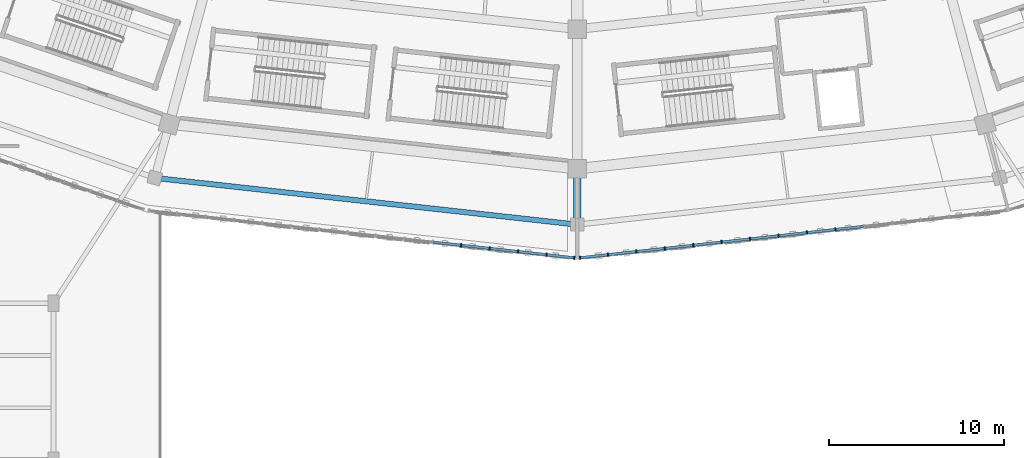
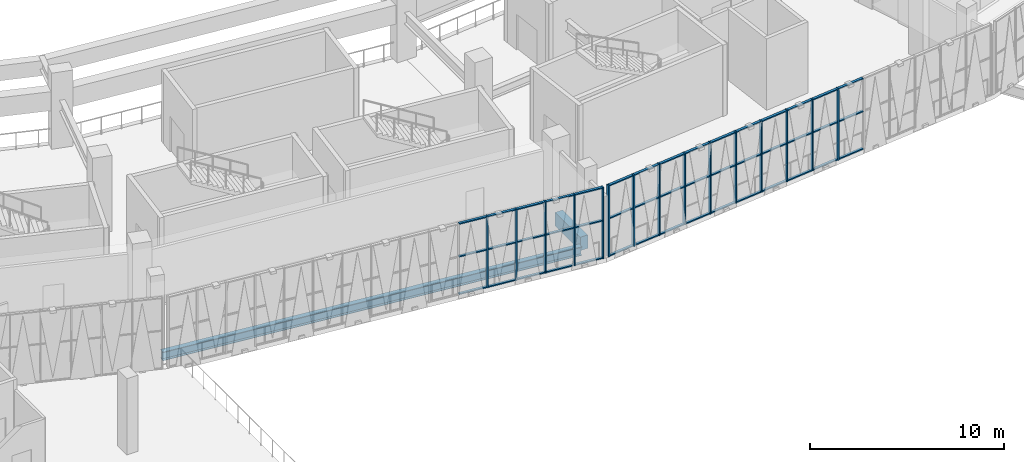
# One storey, part 17 of 179: 60 members, 2 beams, 2 elements without a shape of their own.
"""IFC4 building model written with IfcOpenShell, lengths in metres."""

import ifcopenshell
import ifcopenshell.guid

model = None  # the IFC model being written
_history = None  # IfcOwnerHistory: only IFC2X3 demands one
_inside = {}  # id of a spatial element -> (the spatial element, [elements in it])
_under = {}  # id of a project, library or spatial element -> (it, [spatial elements below it])
_declared = {}  # id of a project -> (the project, [libraries it declares])
_typed = {}  # id of a type object -> (the type object, [elements of that type])
_made_of = {}  # id of a material, layer set ... -> (it, [elements and type objects made of it])


def new_model(schema):
    """Start an empty IFC model of exactly this schema.

    Asked for "IFC4X3", IfcOpenShell would pick the latest addendum, in which some entities
    have other attributes; the version numbers below select the first issue.
    IFC2X3 requires an IfcOwnerHistory on every rooted entity: one is made here for all.
    """
    global model, _history
    if schema == "IFC4X3":
        model = ifcopenshell.file(schema_version=(4, 3, 0, 0))
    else:
        model = ifcopenshell.file(schema=schema)
    _inside.clear()
    _under.clear()
    _declared.clear()
    _typed.clear()
    _made_of.clear()
    _history = None
    if model.schema == "IFC2X3":
        org = make("IfcOrganization", Name="unknown")
        user = make(
            "IfcPersonAndOrganization",
            ThePerson=make("IfcPerson", FamilyName="unknown"),
            TheOrganization=org,
        )
        app = make(
            "IfcApplication",
            ApplicationDeveloper=org,
            Version="unknown",
            ApplicationFullName="unknown",
            ApplicationIdentifier="unknown",
        )
        _history = make(
            "IfcOwnerHistory",
            OwningUser=user,
            OwningApplication=app,
            ChangeAction="ADDED",
            CreationDate=0,
        )
    return model


def make(cls, **values):
    """One entity of the class cls with the attributes given. An attribute that is None is left unset."""
    return model.create_entity(
        cls, **{name: value for name, value in values.items() if value is not None}
    )


def rooted(cls, **values):
    """An entity with a GlobalId (a new one), such as an element, a storey or a relation."""
    return make(cls, GlobalId=ifcopenshell.guid.new(), OwnerHistory=_history, **values)


def si_unit(unit_type, name, prefix=None):
    """IfcSIUnit, for example si_unit("LENGTHUNIT", "METRE", prefix="MILLI")."""
    return make("IfcSIUnit", UnitType=unit_type, Prefix=prefix, Name=name)


def assignment(units):
    """IfcUnitAssignment: the units of a project."""
    return None if units is None else make("IfcUnitAssignment", Units=units)


def point(xyz):
    """IfcCartesianPoint."""
    return None if xyz is None else make("IfcCartesianPoint", Coordinates=xyz)


def direction(xyz):
    """IfcDirection."""
    return None if xyz is None else make("IfcDirection", DirectionRatios=xyz)


def frame(location, z_axis=None, x_axis=None):
    """IfcAxis2Placement3D, a coordinate frame: its origin and axes. An axis left out is left unset."""
    return make(
        "IfcAxis2Placement3D",
        Location=point(location),
        Axis=direction(z_axis),
        RefDirection=direction(x_axis),
    )


def frame_2d(location, x_axis=None):
    """IfcAxis2Placement2D, a coordinate frame in the plane: its origin and x axis."""
    return make(
        "IfcAxis2Placement2D", Location=point(location), RefDirection=direction(x_axis)
    )


def origin():
    """The frame at (0, 0, 0) with its axes left unset."""
    return frame((0.0, 0.0, 0.0))


def origin_2d():
    """The frame at (0, 0) in the plane with its x axis left unset."""
    return frame_2d((0.0, 0.0))


def place(relative_to, where):
    """IfcLocalPlacement: puts the frame where relative to a parent placement (None: the world)."""
    return make(
        "IfcLocalPlacement", PlacementRelTo=relative_to, RelativePlacement=where
    )


def context(
    kind, dimensions, precision=None, world=None, true_north=None, identifier=None
):
    """IfcGeometricRepresentationContext, for example the 3D "Model" context."""
    return make(
        "IfcGeometricRepresentationContext",
        ContextIdentifier=identifier,
        ContextType=kind,
        CoordinateSpaceDimension=dimensions,
        Precision=precision,
        WorldCoordinateSystem=world,
        TrueNorth=true_north,
    )


def subcontext(parent, identifier, kind, view, scale=None):
    """IfcGeometricRepresentationSubContext, for example "Body" below "Model"."""
    return make(
        "IfcGeometricRepresentationSubContext",
        ContextIdentifier=identifier,
        ContextType=kind,
        ParentContext=parent,
        TargetScale=scale,
        TargetView=view,
    )


def project(units=None, contexts=None):
    """IfcProject with its units and contexts."""
    return rooted(
        "IfcProject",
        Name="project",
        RepresentationContexts=contexts,
        UnitsInContext=assignment(units),
    )


def spatial(cls, under=None, at=None, **own):
    """A site, building, storey or space (cls), placed at a placement, below another one or the project."""
    s = rooted(cls, ObjectPlacement=at, **own)
    if under is not None:
        _under.setdefault(under.id(), (under, []))[1].append(s)
    return s


def profile(cls, at=None, kind="AREA", **sizes):
    """A parametric profile (cls). Its sizes go by their IFC names, for example OverallWidth=200.0."""
    return make(cls, ProfileType=kind, Position=at, **sizes)


def rectangle(**sizes):
    """IfcRectangleProfileDef."""
    return profile("IfcRectangleProfileDef", **sizes)


def i_section(**sizes):
    """IfcIShapeProfileDef."""
    return profile("IfcIShapeProfileDef", **sizes)


def extrude(swept, where, along, depth):
    """IfcExtrudedAreaSolid: the profile swept, set in the frame where, extruded along a direction by depth."""
    return make(
        "IfcExtrudedAreaSolid",
        SweptArea=swept,
        Position=where,
        ExtrudedDirection=direction(along),
        Depth=depth,
    )


def shape(context_of_items, identifier, shape_type, items):
    """IfcShapeRepresentation: the items that make up one representation, for example the "Body"."""
    return make(
        "IfcShapeRepresentation",
        ContextOfItems=context_of_items,
        RepresentationIdentifier=identifier,
        RepresentationType=shape_type,
        Items=items,
    )


def material(Name=None, Category=None):
    """IfcMaterial."""
    return make("IfcMaterial", Name=Name, Category=Category)


def material_profile(
    of_material, cross_section, Name=None, Category=None, Priority=None
):
    """IfcMaterialProfile: a cross section and its material."""
    return make(
        "IfcMaterialProfile",
        Name=Name,
        Material=of_material,
        Profile=cross_section,
        Priority=Priority,
        Category=Category,
    )


def profile_set(profiles, Name=None, composite=None):
    """IfcMaterialProfileSet."""
    return make(
        "IfcMaterialProfileSet",
        Name=Name,
        MaterialProfiles=profiles,
        CompositeProfile=composite,
    )


def made_of(thing, what):
    """Note that an element or type object is made of a material, layer set ...; save() writes the relation."""
    if what is not None:
        _made_of.setdefault(what.id(), (what, []))[1].append(thing)
    return thing


def type_object(cls, material=None, **own):
    """A type object (cls), such as IfcWallType, which elements share."""
    return made_of(rooted(cls, **own), material)


def element(
    cls,
    number,
    at=None,
    inside=None,
    cuts=None,
    type_object=None,
    material=None,
    context=None,
    identifier="Body",
    shape_type=None,
    held_by="IfcProductDefinitionShape",
    body=None,
    shapes=None,
    **own,
):
    """One element of the class cls, such as IfcWall. Its Tag is "e" and its number.

    at: its placement. inside: the storey or other place that contains it. cuts: it is an
    opening in that element (IfcRelVoidsElement). A single representation is given by context,
    identifier, shape_type and body (its items); several are given by shapes. held_by: the class
    of the entity that holds the representations. save() writes the other relations.
    """
    e = rooted(cls, Tag="e%d" % number, ObjectPlacement=at, **own)
    if body is not None:
        shapes = [shape(context, identifier, shape_type, body)]
    if shapes is not None:
        e.Representation = make(held_by, Representations=shapes)
    if inside is not None:
        _inside.setdefault(inside.id(), (inside, []))[1].append(e)
    if cuts is not None:
        rooted(
            "IfcRelVoidsElement", RelatingBuildingElement=cuts, RelatedOpeningElement=e
        )
    if type_object is not None:
        _typed.setdefault(type_object.id(), (type_object, []))[1].append(e)
    return made_of(e, material)


def aggregate(whole, parts):
    """IfcRelAggregates: a whole, such as a stair, and the parts it consists of."""
    return rooted("IfcRelAggregates", RelatingObject=whole, RelatedObjects=parts)


def save(model, path):
    """Write the relations noted so far, then the file.

    IfcRelAggregates (storeys below a building ...), IfcRelContainedInSpatialStructure (elements
    in a storey), IfcRelDefinesByType, IfcRelAssociatesMaterial and IfcRelDeclares: one each for
    every whole, place, type object, material and project.
    """
    for whole, parts in _under.values():
        aggregate(whole, parts)
    for where, things in _inside.values():
        rooted(
            "IfcRelContainedInSpatialStructure",
            RelatedElements=things,
            RelatingStructure=where,
        )
    for kind, things in _typed.values():
        rooted("IfcRelDefinesByType", RelatedObjects=things, RelatingType=kind)
    for what, things in _made_of.values():
        rooted("IfcRelAssociatesMaterial", RelatedObjects=things, RelatingMaterial=what)
    for by, libraries in _declared.values():
        rooted("IfcRelDeclares", RelatingContext=by, RelatedDefinitions=libraries)
    model.write(path)


model = new_model("IFC4")

# Units and contexts
model_context = context("Model", 3, precision=1e-05, world=origin(), true_north=direction((0.0, 1.0)))
body_context = subcontext(model_context, "Body", "Model", "MODEL_VIEW")
ifc_project = project(units=[si_unit("LENGTHUNIT", "METRE"), si_unit("AREAUNIT", "SQUARE_METRE"), si_unit("VOLUMEUNIT", "CUBIC_METRE"), si_unit("PLANEANGLEUNIT", "RADIAN"), si_unit("MASSUNIT", "GRAM", prefix="KILO")], contexts=[model_context])

# Site, building, storey
site_placement = place(None, origin())
site = spatial("IfcSite", under=ifc_project, at=site_placement, CompositionType="ELEMENT")
building_placement = place(site_placement, origin())
building = spatial("IfcBuilding", under=site, at=building_placement, Name="Zevraka Park Crest Stadium", CompositionType="ELEMENT")
storey_placement = place(building_placement, frame((0.0, 0.0, 10.199951171875)))
storey = spatial("IfcBuildingStorey", under=building, at=storey_placement, Name="L02", CompositionType="ELEMENT", Elevation=10.199951171875)

# Beam
ifc_material_1 = material(Name="Concrete C40/50", Category="concrete")
ifc_material_profile_1 = material_profile(ifc_material_1, rectangle(XDim=0.449951171875, YDim=0.85009765625, at=origin_2d()), Name="RC 850x450")
ifc_profile_set_1 = profile_set([ifc_material_profile_1], Name="Concrete C40/50")
beam_type_1 = type_object("IfcBeamType", Name="BG03", PredefinedType="BEAM", material=ifc_profile_set_1)
beam_1_placement = place(storey_placement, frame((112.0, 16.39990234375, -0.43505859375), z_axis=(0.0, -1.0, 0.0), x_axis=(1.0, 0.0, 0.0)))
element("IfcBeam", 1, at=beam_1_placement, inside=storey, type_object=beam_type_1, Name="Radial Girder BG03 L02-DE-18", PredefinedType="BEAM", context=body_context, shape_type="SweptSolid", body=[
    extrude(rectangle(XDim=0.449951171875, YDim=0.85009765625, at=origin_2d()), origin(), (0.0, 0.0, 1.0), 2.599853515625),
])

# Curtain wall, members
ifc_material_2 = material(Name="Anodised architectural aluminium and laminated safety glass", Category="aluminium")
curtain_wall_type = type_object("IfcCurtainWallType", Name="CW06", PredefinedType="NOTDEFINED", material=ifc_material_2)
curtain_wall_1_placement = place(storey_placement, origin())
curtain_wall_1 = element("IfcCurtainWall", 2, at=curtain_wall_1_placement, inside=storey, type_object=curtain_wall_type, Name="Unitised Ring Curtain Wall CW06 L02-17", PredefinedType="NOTDEFINED")
ifc_material_3 = material(Name="Anodised architectural aluminium", Category="aluminium")
ifc_material_profile_2 = material_profile(ifc_material_3, rectangle(XDim=0.199951171875, YDim=0.070068359375, at=origin_2d()), Name="ALU MULLION 200x70")
ifc_profile_set_2 = profile_set([ifc_material_profile_2], Name="Anodised architectural aluminium")
member_type_1 = type_object("IfcMemberType", Name="CM03", PredefinedType="MULLION", material=ifc_profile_set_2)
member_1_placement = place(storey_placement, frame((105.35302734375, 12.318115234375, 0.0), z_axis=(0.0, 0.0, 1.0), x_axis=(0.110293152687, 0.993899099743, 0.0)))
member_1 = element("IfcMember", 3, at=member_1_placement, type_object=member_type_1, Name="CW06 mullion 12", PredefinedType="MULLION", context=body_context, shape_type="SweptSolid", body=[
    extrude(rectangle(XDim=0.199951171875, YDim=0.070068359375, at=origin_2d()), origin(), (0.0, 0.0, 1.0), 4.5),
])
member_2_placement = place(storey_placement, frame((106.982177734375, 12.137451171875, 0.0), z_axis=(0.0, 0.0, 1.0), x_axis=(0.110293152687, 0.993899099743, 0.0)))
member_2 = element("IfcMember", 4, at=member_2_placement, type_object=member_type_1, Name="CW06 mullion 13", PredefinedType="MULLION", context=body_context, shape_type="SweptSolid", body=[
    extrude(rectangle(XDim=0.199951171875, YDim=0.070068359375, at=origin_2d()), origin(), (0.0, 0.0, 1.0), 4.5),
])
member_3_placement = place(storey_placement, frame((108.611572265625, 11.95654296875, 0.0), z_axis=(0.0, 0.0, 1.0), x_axis=(0.110293152687, 0.993899099743, 0.0)))
member_3 = element("IfcMember", 5, at=member_3_placement, type_object=member_type_1, Name="CW06 mullion 14", PredefinedType="MULLION", context=body_context, shape_type="SweptSolid", body=[
    extrude(rectangle(XDim=0.199951171875, YDim=0.070068359375, at=origin_2d()), origin(), (0.0, 0.0, 1.0), 4.5),
])
member_4_placement = place(storey_placement, frame((110.24072265625, 11.77587890625, 0.0), z_axis=(0.0, 0.0, 1.0), x_axis=(0.110293152687, 0.993899099743, 0.0)))
member_4 = element("IfcMember", 6, at=member_4_placement, type_object=member_type_1, Name="CW06 mullion 15", PredefinedType="MULLION", context=body_context, shape_type="SweptSolid", body=[
    extrude(rectangle(XDim=0.199951171875, YDim=0.070068359375, at=origin_2d()), origin(), (0.0, 0.0, 1.0), 4.5),
])
member_5_placement = place(storey_placement, frame((111.835205078125, 11.598876953125, 0.0), z_axis=(0.0, 0.0, 1.0), x_axis=(0.110293152687, 0.993899099743, 0.0)))
member_5 = element("IfcMember", 7, at=member_5_placement, type_object=member_type_1, Name="CW06 mullion 16", PredefinedType="MULLION", context=body_context, shape_type="SweptSolid", body=[
    extrude(rectangle(XDim=0.199951171875, YDim=0.070068359375, at=origin_2d()), origin(), (0.0, 0.0, 1.0), 4.5),
])

curtain_wall_2_placement = place(storey_placement, origin())
curtain_wall_2 = element("IfcCurtainWall", 8, at=curtain_wall_2_placement, inside=storey, type_object=curtain_wall_type, Name="Unitised Ring Curtain Wall CW06 L02-18", PredefinedType="NOTDEFINED")
member_6_placement = place(storey_placement, frame((112.164794921875, 11.598876953125, 0.0), z_axis=(0.0, 0.0, 1.0), x_axis=(-0.110293152687, 0.993899099743, 0.0)))
member_6 = element("IfcMember", 9, at=member_6_placement, type_object=member_type_1, Name="CW06 mullion 1", PredefinedType="MULLION", context=body_context, shape_type="SweptSolid", body=[
    extrude(rectangle(XDim=0.199951171875, YDim=0.070068359375, at=origin_2d()), origin(), (0.0, 0.0, 1.0), 4.5),
])
member_7_placement = place(storey_placement, frame((113.75927734375, 11.77587890625, 0.0), z_axis=(0.0, 0.0, 1.0), x_axis=(-0.110293152687, 0.993899099743, 0.0)))
member_7 = element("IfcMember", 10, at=member_7_placement, type_object=member_type_1, Name="CW06 mullion 2", PredefinedType="MULLION", context=body_context, shape_type="SweptSolid", body=[
    extrude(rectangle(XDim=0.199951171875, YDim=0.070068359375, at=origin_2d()), origin(), (0.0, 0.0, 1.0), 4.5),
])
member_8_placement = place(storey_placement, frame((115.388427734375, 11.95654296875, 0.0), z_axis=(0.0, 0.0, 1.0), x_axis=(-0.110293152687, 0.993899099743, 0.0)))
member_8 = element("IfcMember", 11, at=member_8_placement, type_object=member_type_1, Name="CW06 mullion 3", PredefinedType="MULLION", context=body_context, shape_type="SweptSolid", body=[
    extrude(rectangle(XDim=0.199951171875, YDim=0.070068359375, at=origin_2d()), origin(), (0.0, 0.0, 1.0), 4.5),
])
member_9_placement = place(storey_placement, frame((117.017822265625, 12.137451171875, 0.0), z_axis=(0.0, 0.0, 1.0), x_axis=(-0.110293152687, 0.993899099743, 0.0)))
member_9 = element("IfcMember", 12, at=member_9_placement, type_object=member_type_1, Name="CW06 mullion 4", PredefinedType="MULLION", context=body_context, shape_type="SweptSolid", body=[
    extrude(rectangle(XDim=0.199951171875, YDim=0.070068359375, at=origin_2d()), origin(), (0.0, 0.0, 1.0), 4.5),
])
member_10_placement = place(storey_placement, frame((118.64697265625, 12.318115234375, 0.0), z_axis=(0.0, 0.0, 1.0), x_axis=(-0.110293152687, 0.993899099743, 0.0)))
member_10 = element("IfcMember", 13, at=member_10_placement, type_object=member_type_1, Name="CW06 mullion 5", PredefinedType="MULLION", context=body_context, shape_type="SweptSolid", body=[
    extrude(rectangle(XDim=0.199951171875, YDim=0.070068359375, at=origin_2d()), origin(), (0.0, 0.0, 1.0), 4.5),
])
member_11_placement = place(storey_placement, frame((120.2763671875, 12.4990234375, 0.0), z_axis=(0.0, 0.0, 1.0), x_axis=(-0.110293152687, 0.993899099743, 0.0)))
member_11 = element("IfcMember", 14, at=member_11_placement, type_object=member_type_1, Name="CW06 mullion 6", PredefinedType="MULLION", context=body_context, shape_type="SweptSolid", body=[
    extrude(rectangle(XDim=0.199951171875, YDim=0.070068359375, at=origin_2d()), origin(), (0.0, 0.0, 1.0), 4.5),
])
member_12_placement = place(storey_placement, frame((121.905517578125, 12.6796875, 0.0), z_axis=(0.0, 0.0, 1.0), x_axis=(-0.110293152687, 0.993899099743, 0.0)))
member_12 = element("IfcMember", 15, at=member_12_placement, type_object=member_type_1, Name="CW06 mullion 7", PredefinedType="MULLION", context=body_context, shape_type="SweptSolid", body=[
    extrude(rectangle(XDim=0.199951171875, YDim=0.070068359375, at=origin_2d()), origin(), (0.0, 0.0, 1.0), 4.5),
])
member_13_placement = place(storey_placement, frame((123.534912109375, 12.860595703125, 0.0), z_axis=(0.0, 0.0, 1.0), x_axis=(-0.110293152687, 0.993899099743, 0.0)))
member_13 = element("IfcMember", 16, at=member_13_placement, type_object=member_type_1, Name="CW06 mullion 8", PredefinedType="MULLION", context=body_context, shape_type="SweptSolid", body=[
    extrude(rectangle(XDim=0.199951171875, YDim=0.070068359375, at=origin_2d()), origin(), (0.0, 0.0, 1.0), 4.5),
])
member_14_placement = place(storey_placement, frame((125.1640625, 13.04150390625, 0.0), z_axis=(0.0, 0.0, 1.0), x_axis=(-0.110293152687, 0.993899099743, 0.0)))
member_14 = element("IfcMember", 17, at=member_14_placement, type_object=member_type_1, Name="CW06 mullion 9", PredefinedType="MULLION", context=body_context, shape_type="SweptSolid", body=[
    extrude(rectangle(XDim=0.199951171875, YDim=0.070068359375, at=origin_2d()), origin(), (0.0, 0.0, 1.0), 4.5),
])
member_15_placement = place(storey_placement, frame((126.79345703125, 13.22216796875, 0.0), z_axis=(0.0, 0.0, 1.0), x_axis=(-0.110293152687, 0.993899099743, 0.0)))
member_15 = element("IfcMember", 18, at=member_15_placement, type_object=member_type_1, Name="CW06 mullion 10", PredefinedType="MULLION", context=body_context, shape_type="SweptSolid", body=[
    extrude(rectangle(XDim=0.199951171875, YDim=0.070068359375, at=origin_2d()), origin(), (0.0, 0.0, 1.0), 4.5),
])

# Member
ifc_material_4 = material(Name="Anodised architectural aluminium", Category="aluminium")
ifc_material_profile_3 = material_profile(ifc_material_4, rectangle(XDim=0.14990234375, YDim=0.070068359375, at=origin_2d()), Name="ALU TRANSOM 150x70")
ifc_profile_set_3 = profile_set([ifc_material_profile_3], Name="Anodised architectural aluminium")
member_type_2 = type_object("IfcMemberType", Name="CT03", PredefinedType="USERDEFINED", material=ifc_profile_set_3)
member_16_placement = place(storey_placement, frame((103.758544921875, 12.4951171875, 0.03515625), z_axis=(0.993897009399, -0.11031198805, 0.0), x_axis=(0.11031198805, 0.993897009399, 0.0)))
member_16 = element("IfcMember", 19, at=member_16_placement, type_object=member_type_2, Name="CW06 transom 11.1", ObjectType="TRANSOM", PredefinedType="USERDEFINED", context=body_context, shape_type="SweptSolid", body=[
    extrude(rectangle(XDim=0.14990234375, YDim=0.070068359375, at=origin_2d()), origin(), (0.0, 0.0, 1.0), 1.569091796875),
])

member_17_placement = place(storey_placement, frame((103.758544921875, 12.4951171875, 2.400146484375), z_axis=(0.993897009399, -0.11031198805, 0.0), x_axis=(0.11031198805, 0.993897009399, 0.0)))
member_17 = element("IfcMember", 20, at=member_17_placement, type_object=member_type_2, Name="CW06 transom 11.2", ObjectType="TRANSOM", PredefinedType="USERDEFINED", context=body_context, shape_type="SweptSolid", body=[
    extrude(rectangle(XDim=0.14990234375, YDim=0.070068359375, at=origin_2d()), origin(), (0.0, 0.0, 1.0), 1.569091796875),
])

member_18_placement = place(storey_placement, frame((103.758544921875, 12.4951171875, 4.465087890625), z_axis=(0.993897009399, -0.11031198805, 0.0), x_axis=(0.11031198805, 0.993897009399, 0.0)))
member_18 = element("IfcMember", 21, at=member_18_placement, type_object=member_type_2, Name="CW06 transom 11.3", ObjectType="TRANSOM", PredefinedType="USERDEFINED", context=body_context, shape_type="SweptSolid", body=[
    extrude(rectangle(XDim=0.14990234375, YDim=0.070068359375, at=origin_2d()), origin(), (0.0, 0.0, 1.0), 1.569091796875),
])

member_19_placement = place(storey_placement, frame((105.3876953125, 12.314453125, 0.03515625), z_axis=(0.993898902271, -0.110294932182, 0.0), x_axis=(0.110294932182, 0.993898902271, 0.0)))
member_19 = element("IfcMember", 22, at=member_19_placement, type_object=member_type_2, Name="CW06 transom 12.1", ObjectType="TRANSOM", PredefinedType="USERDEFINED", context=body_context, shape_type="SweptSolid", body=[
    extrude(rectangle(XDim=0.14990234375, YDim=0.070068359375, at=origin_2d()), origin(), (0.0, 0.0, 1.0), 1.5693359375),
])

member_20_placement = place(storey_placement, frame((105.3876953125, 12.314453125, 2.400146484375), z_axis=(0.993898902271, -0.110294932182, 0.0), x_axis=(0.110294932182, 0.993898902271, 0.0)))
member_20 = element("IfcMember", 23, at=member_20_placement, type_object=member_type_2, Name="CW06 transom 12.2", ObjectType="TRANSOM", PredefinedType="USERDEFINED", context=body_context, shape_type="SweptSolid", body=[
    extrude(rectangle(XDim=0.14990234375, YDim=0.070068359375, at=origin_2d()), origin(), (0.0, 0.0, 1.0), 1.5693359375),
])

member_21_placement = place(storey_placement, frame((105.3876953125, 12.314453125, 4.465087890625), z_axis=(0.993898902271, -0.110294932182, 0.0), x_axis=(0.110294932182, 0.993898902271, 0.0)))
member_21 = element("IfcMember", 24, at=member_21_placement, type_object=member_type_2, Name="CW06 transom 12.3", ObjectType="TRANSOM", PredefinedType="USERDEFINED", context=body_context, shape_type="SweptSolid", body=[
    extrude(rectangle(XDim=0.14990234375, YDim=0.070068359375, at=origin_2d()), origin(), (0.0, 0.0, 1.0), 1.5693359375),
])

member_22_placement = place(storey_placement, frame((107.01708984375, 12.133544921875, 0.03515625), z_axis=(0.993897009399, -0.11031198805, 0.0), x_axis=(0.11031198805, 0.993897009399, 0.0)))
member_22 = element("IfcMember", 25, at=member_22_placement, type_object=member_type_2, Name="CW06 transom 13.1", ObjectType="TRANSOM", PredefinedType="USERDEFINED", context=body_context, shape_type="SweptSolid", body=[
    extrude(rectangle(XDim=0.14990234375, YDim=0.070068359375, at=origin_2d()), origin(), (0.0, 0.0, 1.0), 1.569091796875),
])

member_23_placement = place(storey_placement, frame((107.01708984375, 12.133544921875, 2.400146484375), z_axis=(0.993897009399, -0.11031198805, 0.0), x_axis=(0.11031198805, 0.993897009399, 0.0)))
member_23 = element("IfcMember", 26, at=member_23_placement, type_object=member_type_2, Name="CW06 transom 13.2", ObjectType="TRANSOM", PredefinedType="USERDEFINED", context=body_context, shape_type="SweptSolid", body=[
    extrude(rectangle(XDim=0.14990234375, YDim=0.070068359375, at=origin_2d()), origin(), (0.0, 0.0, 1.0), 1.569091796875),
])

member_24_placement = place(storey_placement, frame((107.01708984375, 12.133544921875, 4.465087890625), z_axis=(0.993897009399, -0.11031198805, 0.0), x_axis=(0.11031198805, 0.993897009399, 0.0)))
member_24 = element("IfcMember", 27, at=member_24_placement, type_object=member_type_2, Name="CW06 transom 13.3", ObjectType="TRANSOM", PredefinedType="USERDEFINED", context=body_context, shape_type="SweptSolid", body=[
    extrude(rectangle(XDim=0.14990234375, YDim=0.070068359375, at=origin_2d()), origin(), (0.0, 0.0, 1.0), 1.569091796875),
])

member_25_placement = place(storey_placement, frame((108.646240234375, 11.95263671875, 0.03515625), z_axis=(0.993898902271, -0.110294932182, 0.0), x_axis=(0.110294932182, 0.993898902271, 0.0)))
member_25 = element("IfcMember", 28, at=member_25_placement, type_object=member_type_2, Name="CW06 transom 14.1", ObjectType="TRANSOM", PredefinedType="USERDEFINED", context=body_context, shape_type="SweptSolid", body=[
    extrude(rectangle(XDim=0.14990234375, YDim=0.070068359375, at=origin_2d()), origin(), (0.0, 0.0, 1.0), 1.5693359375),
])

member_26_placement = place(storey_placement, frame((108.646240234375, 11.95263671875, 2.400146484375), z_axis=(0.993898902271, -0.110294932182, 0.0), x_axis=(0.110294932182, 0.993898902271, 0.0)))
member_26 = element("IfcMember", 29, at=member_26_placement, type_object=member_type_2, Name="CW06 transom 14.2", ObjectType="TRANSOM", PredefinedType="USERDEFINED", context=body_context, shape_type="SweptSolid", body=[
    extrude(rectangle(XDim=0.14990234375, YDim=0.070068359375, at=origin_2d()), origin(), (0.0, 0.0, 1.0), 1.5693359375),
])

member_27_placement = place(storey_placement, frame((108.646240234375, 11.95263671875, 4.465087890625), z_axis=(0.993898902271, -0.110294932182, 0.0), x_axis=(0.110294932182, 0.993898902271, 0.0)))
member_27 = element("IfcMember", 30, at=member_27_placement, type_object=member_type_2, Name="CW06 transom 14.3", ObjectType="TRANSOM", PredefinedType="USERDEFINED", context=body_context, shape_type="SweptSolid", body=[
    extrude(rectangle(XDim=0.14990234375, YDim=0.070068359375, at=origin_2d()), origin(), (0.0, 0.0, 1.0), 1.5693359375),
])

member_28_placement = place(storey_placement, frame((110.275634765625, 11.77197265625, 0.03515625), z_axis=(0.993901187296, -0.110274339224, 0.0), x_axis=(0.110274339224, 0.993901187296, 0.0)))
member_28 = element("IfcMember", 31, at=member_28_placement, type_object=member_type_2, Name="CW06 transom 15.1", ObjectType="TRANSOM", PredefinedType="USERDEFINED", context=body_context, shape_type="SweptSolid", body=[
    extrude(rectangle(XDim=0.14990234375, YDim=0.070068359375, at=origin_2d()), origin(), (0.0, 0.0, 1.0), 1.5341796875),
])

member_29_placement = place(storey_placement, frame((110.275634765625, 11.77197265625, 2.400146484375), z_axis=(0.993901187296, -0.110274339224, 0.0), x_axis=(0.110274339224, 0.993901187296, 0.0)))
member_29 = element("IfcMember", 32, at=member_29_placement, type_object=member_type_2, Name="CW06 transom 15.2", ObjectType="TRANSOM", PredefinedType="USERDEFINED", context=body_context, shape_type="SweptSolid", body=[
    extrude(rectangle(XDim=0.14990234375, YDim=0.070068359375, at=origin_2d()), origin(), (0.0, 0.0, 1.0), 1.5341796875),
])

member_30_placement = place(storey_placement, frame((110.275634765625, 11.77197265625, 4.465087890625), z_axis=(0.993901187296, -0.110274339224, 0.0), x_axis=(0.110274339224, 0.993901187296, 0.0)))
member_30 = element("IfcMember", 33, at=member_30_placement, type_object=member_type_2, Name="CW06 transom 15.3", ObjectType="TRANSOM", PredefinedType="USERDEFINED", context=body_context, shape_type="SweptSolid", body=[
    extrude(rectangle(XDim=0.14990234375, YDim=0.070068359375, at=origin_2d()), origin(), (0.0, 0.0, 1.0), 1.5341796875),
])

aggregate(curtain_wall_1, [member_1, member_2, member_3, member_4, member_5, member_16, member_17, member_18, member_19, member_20, member_21, member_22, member_23, member_24, member_25, member_26, member_27, member_28, member_29, member_30])

member_31_placement = place(storey_placement, frame((112.199462890625, 11.602783203125, 0.03515625), z_axis=(0.993901187296, 0.110274339224, 0.0), x_axis=(-0.110274339224, 0.993901187296, 0.0)))
member_31 = element("IfcMember", 34, at=member_31_placement, type_object=member_type_2, Name="CW06 transom 1.1", ObjectType="TRANSOM", PredefinedType="USERDEFINED", context=body_context, shape_type="SweptSolid", body=[
    extrude(rectangle(XDim=0.14990234375, YDim=0.070068359375, at=origin_2d()), origin(), (0.0, 0.0, 1.0), 1.5341796875),
])

member_32_placement = place(storey_placement, frame((112.199462890625, 11.602783203125, 2.400146484375), z_axis=(0.993901187296, 0.110274339224, 0.0), x_axis=(-0.110274339224, 0.993901187296, 0.0)))
member_32 = element("IfcMember", 35, at=member_32_placement, type_object=member_type_2, Name="CW06 transom 1.2", ObjectType="TRANSOM", PredefinedType="USERDEFINED", context=body_context, shape_type="SweptSolid", body=[
    extrude(rectangle(XDim=0.14990234375, YDim=0.070068359375, at=origin_2d()), origin(), (0.0, 0.0, 1.0), 1.5341796875),
])

member_33_placement = place(storey_placement, frame((112.199462890625, 11.602783203125, 4.465087890625), z_axis=(0.993901187296, 0.110274339224, 0.0), x_axis=(-0.110274339224, 0.993901187296, 0.0)))
member_33 = element("IfcMember", 36, at=member_33_placement, type_object=member_type_2, Name="CW06 transom 1.3", ObjectType="TRANSOM", PredefinedType="USERDEFINED", context=body_context, shape_type="SweptSolid", body=[
    extrude(rectangle(XDim=0.14990234375, YDim=0.070068359375, at=origin_2d()), origin(), (0.0, 0.0, 1.0), 1.5341796875),
])

member_34_placement = place(storey_placement, frame((113.7939453125, 11.779541015625, 0.03515625), z_axis=(0.993898902271, 0.110294932182, 0.0), x_axis=(-0.110294932182, 0.993898902271, 0.0)))
member_34 = element("IfcMember", 37, at=member_34_placement, type_object=member_type_2, Name="CW06 transom 2.1", ObjectType="TRANSOM", PredefinedType="USERDEFINED", context=body_context, shape_type="SweptSolid", body=[
    extrude(rectangle(XDim=0.14990234375, YDim=0.070068359375, at=origin_2d()), origin(), (0.0, 0.0, 1.0), 1.5693359375),
])

member_35_placement = place(storey_placement, frame((113.7939453125, 11.779541015625, 2.400146484375), z_axis=(0.993898902271, 0.110294932182, 0.0), x_axis=(-0.110294932182, 0.993898902271, 0.0)))
member_35 = element("IfcMember", 38, at=member_35_placement, type_object=member_type_2, Name="CW06 transom 2.2", ObjectType="TRANSOM", PredefinedType="USERDEFINED", context=body_context, shape_type="SweptSolid", body=[
    extrude(rectangle(XDim=0.14990234375, YDim=0.070068359375, at=origin_2d()), origin(), (0.0, 0.0, 1.0), 1.5693359375),
])

member_36_placement = place(storey_placement, frame((113.7939453125, 11.779541015625, 4.465087890625), z_axis=(0.993898902271, 0.110294932182, 0.0), x_axis=(-0.110294932182, 0.993898902271, 0.0)))
member_36 = element("IfcMember", 39, at=member_36_placement, type_object=member_type_2, Name="CW06 transom 2.3", ObjectType="TRANSOM", PredefinedType="USERDEFINED", context=body_context, shape_type="SweptSolid", body=[
    extrude(rectangle(XDim=0.14990234375, YDim=0.070068359375, at=origin_2d()), origin(), (0.0, 0.0, 1.0), 1.5693359375),
])

member_37_placement = place(storey_placement, frame((115.42333984375, 11.96044921875, 0.03515625), z_axis=(0.993897009399, 0.11031198805, 0.0), x_axis=(-0.11031198805, 0.993897009399, 0.0)))
member_37 = element("IfcMember", 40, at=member_37_placement, type_object=member_type_2, Name="CW06 transom 3.1", ObjectType="TRANSOM", PredefinedType="USERDEFINED", context=body_context, shape_type="SweptSolid", body=[
    extrude(rectangle(XDim=0.14990234375, YDim=0.070068359375, at=origin_2d()), origin(), (0.0, 0.0, 1.0), 1.569091796875),
])

member_38_placement = place(storey_placement, frame((115.42333984375, 11.96044921875, 2.400146484375), z_axis=(0.993897009399, 0.11031198805, 0.0), x_axis=(-0.11031198805, 0.993897009399, 0.0)))
member_38 = element("IfcMember", 41, at=member_38_placement, type_object=member_type_2, Name="CW06 transom 3.2", ObjectType="TRANSOM", PredefinedType="USERDEFINED", context=body_context, shape_type="SweptSolid", body=[
    extrude(rectangle(XDim=0.14990234375, YDim=0.070068359375, at=origin_2d()), origin(), (0.0, 0.0, 1.0), 1.569091796875),
])

member_39_placement = place(storey_placement, frame((115.42333984375, 11.96044921875, 4.465087890625), z_axis=(0.993897009399, 0.11031198805, 0.0), x_axis=(-0.11031198805, 0.993897009399, 0.0)))
member_39 = element("IfcMember", 42, at=member_39_placement, type_object=member_type_2, Name="CW06 transom 3.3", ObjectType="TRANSOM", PredefinedType="USERDEFINED", context=body_context, shape_type="SweptSolid", body=[
    extrude(rectangle(XDim=0.14990234375, YDim=0.070068359375, at=origin_2d()), origin(), (0.0, 0.0, 1.0), 1.569091796875),
])

member_40_placement = place(storey_placement, frame((117.052490234375, 12.141357421875, 0.03515625), z_axis=(0.993898902271, 0.110294932182, 0.0), x_axis=(-0.110294932182, 0.993898902271, 0.0)))
member_40 = element("IfcMember", 43, at=member_40_placement, type_object=member_type_2, Name="CW06 transom 4.1", ObjectType="TRANSOM", PredefinedType="USERDEFINED", context=body_context, shape_type="SweptSolid", body=[
    extrude(rectangle(XDim=0.14990234375, YDim=0.070068359375, at=origin_2d()), origin(), (0.0, 0.0, 1.0), 1.5693359375),
])

member_41_placement = place(storey_placement, frame((117.052490234375, 12.141357421875, 2.400146484375), z_axis=(0.993898902271, 0.110294932182, 0.0), x_axis=(-0.110294932182, 0.993898902271, 0.0)))
member_41 = element("IfcMember", 44, at=member_41_placement, type_object=member_type_2, Name="CW06 transom 4.2", ObjectType="TRANSOM", PredefinedType="USERDEFINED", context=body_context, shape_type="SweptSolid", body=[
    extrude(rectangle(XDim=0.14990234375, YDim=0.070068359375, at=origin_2d()), origin(), (0.0, 0.0, 1.0), 1.5693359375),
])

member_42_placement = place(storey_placement, frame((117.052490234375, 12.141357421875, 4.465087890625), z_axis=(0.993898902271, 0.110294932182, 0.0), x_axis=(-0.110294932182, 0.993898902271, 0.0)))
member_42 = element("IfcMember", 45, at=member_42_placement, type_object=member_type_2, Name="CW06 transom 4.3", ObjectType="TRANSOM", PredefinedType="USERDEFINED", context=body_context, shape_type="SweptSolid", body=[
    extrude(rectangle(XDim=0.14990234375, YDim=0.070068359375, at=origin_2d()), origin(), (0.0, 0.0, 1.0), 1.5693359375),
])

member_43_placement = place(storey_placement, frame((118.681884765625, 12.322021484375, 0.03515625), z_axis=(0.993897009399, 0.11031198805, 0.0), x_axis=(-0.11031198805, 0.993897009399, 0.0)))
member_43 = element("IfcMember", 46, at=member_43_placement, type_object=member_type_2, Name="CW06 transom 5.1", ObjectType="TRANSOM", PredefinedType="USERDEFINED", context=body_context, shape_type="SweptSolid", body=[
    extrude(rectangle(XDim=0.14990234375, YDim=0.070068359375, at=origin_2d()), origin(), (0.0, 0.0, 1.0), 1.569091796875),
])

member_44_placement = place(storey_placement, frame((118.681884765625, 12.322021484375, 2.400146484375), z_axis=(0.993897009399, 0.11031198805, 0.0), x_axis=(-0.11031198805, 0.993897009399, 0.0)))
member_44 = element("IfcMember", 47, at=member_44_placement, type_object=member_type_2, Name="CW06 transom 5.2", ObjectType="TRANSOM", PredefinedType="USERDEFINED", context=body_context, shape_type="SweptSolid", body=[
    extrude(rectangle(XDim=0.14990234375, YDim=0.070068359375, at=origin_2d()), origin(), (0.0, 0.0, 1.0), 1.569091796875),
])

member_45_placement = place(storey_placement, frame((118.681884765625, 12.322021484375, 4.465087890625), z_axis=(0.993897009399, 0.11031198805, 0.0), x_axis=(-0.11031198805, 0.993897009399, 0.0)))
member_45 = element("IfcMember", 48, at=member_45_placement, type_object=member_type_2, Name="CW06 transom 5.3", ObjectType="TRANSOM", PredefinedType="USERDEFINED", context=body_context, shape_type="SweptSolid", body=[
    extrude(rectangle(XDim=0.14990234375, YDim=0.070068359375, at=origin_2d()), origin(), (0.0, 0.0, 1.0), 1.569091796875),
])

member_46_placement = place(storey_placement, frame((120.31103515625, 12.5029296875, 0.03515625), z_axis=(0.993898902271, 0.110294932182, 0.0), x_axis=(-0.110294932182, 0.993898902271, 0.0)))
member_46 = element("IfcMember", 49, at=member_46_placement, type_object=member_type_2, Name="CW06 transom 6.1", ObjectType="TRANSOM", PredefinedType="USERDEFINED", context=body_context, shape_type="SweptSolid", body=[
    extrude(rectangle(XDim=0.14990234375, YDim=0.070068359375, at=origin_2d()), origin(), (0.0, 0.0, 1.0), 1.5693359375),
])

member_47_placement = place(storey_placement, frame((120.31103515625, 12.5029296875, 2.400146484375), z_axis=(0.993898902271, 0.110294932182, 0.0), x_axis=(-0.110294932182, 0.993898902271, 0.0)))
member_47 = element("IfcMember", 50, at=member_47_placement, type_object=member_type_2, Name="CW06 transom 6.2", ObjectType="TRANSOM", PredefinedType="USERDEFINED", context=body_context, shape_type="SweptSolid", body=[
    extrude(rectangle(XDim=0.14990234375, YDim=0.070068359375, at=origin_2d()), origin(), (0.0, 0.0, 1.0), 1.5693359375),
])

member_48_placement = place(storey_placement, frame((120.31103515625, 12.5029296875, 4.465087890625), z_axis=(0.993898902271, 0.110294932182, 0.0), x_axis=(-0.110294932182, 0.993898902271, 0.0)))
member_48 = element("IfcMember", 51, at=member_48_placement, type_object=member_type_2, Name="CW06 transom 6.3", ObjectType="TRANSOM", PredefinedType="USERDEFINED", context=body_context, shape_type="SweptSolid", body=[
    extrude(rectangle(XDim=0.14990234375, YDim=0.070068359375, at=origin_2d()), origin(), (0.0, 0.0, 1.0), 1.5693359375),
])

member_49_placement = place(storey_placement, frame((121.9404296875, 12.68359375, 0.03515625), z_axis=(0.993897009399, 0.11031198805, 0.0), x_axis=(-0.11031198805, 0.993897009399, 0.0)))
member_49 = element("IfcMember", 52, at=member_49_placement, type_object=member_type_2, Name="CW06 transom 7.1", ObjectType="TRANSOM", PredefinedType="USERDEFINED", context=body_context, shape_type="SweptSolid", body=[
    extrude(rectangle(XDim=0.14990234375, YDim=0.070068359375, at=origin_2d()), origin(), (0.0, 0.0, 1.0), 1.569091796875),
])

member_50_placement = place(storey_placement, frame((121.9404296875, 12.68359375, 2.400146484375), z_axis=(0.993897009399, 0.11031198805, 0.0), x_axis=(-0.11031198805, 0.993897009399, 0.0)))
member_50 = element("IfcMember", 53, at=member_50_placement, type_object=member_type_2, Name="CW06 transom 7.2", ObjectType="TRANSOM", PredefinedType="USERDEFINED", context=body_context, shape_type="SweptSolid", body=[
    extrude(rectangle(XDim=0.14990234375, YDim=0.070068359375, at=origin_2d()), origin(), (0.0, 0.0, 1.0), 1.569091796875),
])

member_51_placement = place(storey_placement, frame((121.9404296875, 12.68359375, 4.465087890625), z_axis=(0.993897009399, 0.11031198805, 0.0), x_axis=(-0.11031198805, 0.993897009399, 0.0)))
member_51 = element("IfcMember", 54, at=member_51_placement, type_object=member_type_2, Name="CW06 transom 7.3", ObjectType="TRANSOM", PredefinedType="USERDEFINED", context=body_context, shape_type="SweptSolid", body=[
    extrude(rectangle(XDim=0.14990234375, YDim=0.070068359375, at=origin_2d()), origin(), (0.0, 0.0, 1.0), 1.569091796875),
])

member_52_placement = place(storey_placement, frame((123.569580078125, 12.864501953125, 0.03515625), z_axis=(0.993898902271, 0.110294932182, 0.0), x_axis=(-0.110294932182, 0.993898902271, 0.0)))
member_52 = element("IfcMember", 55, at=member_52_placement, type_object=member_type_2, Name="CW06 transom 8.1", ObjectType="TRANSOM", PredefinedType="USERDEFINED", context=body_context, shape_type="SweptSolid", body=[
    extrude(rectangle(XDim=0.14990234375, YDim=0.070068359375, at=origin_2d()), origin(), (0.0, 0.0, 1.0), 1.5693359375),
])

member_53_placement = place(storey_placement, frame((123.569580078125, 12.864501953125, 2.400146484375), z_axis=(0.993898902271, 0.110294932182, 0.0), x_axis=(-0.110294932182, 0.993898902271, 0.0)))
member_53 = element("IfcMember", 56, at=member_53_placement, type_object=member_type_2, Name="CW06 transom 8.2", ObjectType="TRANSOM", PredefinedType="USERDEFINED", context=body_context, shape_type="SweptSolid", body=[
    extrude(rectangle(XDim=0.14990234375, YDim=0.070068359375, at=origin_2d()), origin(), (0.0, 0.0, 1.0), 1.5693359375),
])

member_54_placement = place(storey_placement, frame((123.569580078125, 12.864501953125, 4.465087890625), z_axis=(0.993898902271, 0.110294932182, 0.0), x_axis=(-0.110294932182, 0.993898902271, 0.0)))
member_54 = element("IfcMember", 57, at=member_54_placement, type_object=member_type_2, Name="CW06 transom 8.3", ObjectType="TRANSOM", PredefinedType="USERDEFINED", context=body_context, shape_type="SweptSolid", body=[
    extrude(rectangle(XDim=0.14990234375, YDim=0.070068359375, at=origin_2d()), origin(), (0.0, 0.0, 1.0), 1.5693359375),
])

member_55_placement = place(storey_placement, frame((125.198974609375, 13.045166015625, 0.03515625), z_axis=(0.993897009399, 0.11031198805, 0.0), x_axis=(-0.11031198805, 0.993897009399, 0.0)))
member_55 = element("IfcMember", 58, at=member_55_placement, type_object=member_type_2, Name="CW06 transom 9.1", ObjectType="TRANSOM", PredefinedType="USERDEFINED", context=body_context, shape_type="SweptSolid", body=[
    extrude(rectangle(XDim=0.14990234375, YDim=0.070068359375, at=origin_2d()), origin(), (0.0, 0.0, 1.0), 1.569091796875),
])

member_56_placement = place(storey_placement, frame((125.198974609375, 13.045166015625, 2.400146484375), z_axis=(0.993897009399, 0.11031198805, 0.0), x_axis=(-0.11031198805, 0.993897009399, 0.0)))
member_56 = element("IfcMember", 59, at=member_56_placement, type_object=member_type_2, Name="CW06 transom 9.2", ObjectType="TRANSOM", PredefinedType="USERDEFINED", context=body_context, shape_type="SweptSolid", body=[
    extrude(rectangle(XDim=0.14990234375, YDim=0.070068359375, at=origin_2d()), origin(), (0.0, 0.0, 1.0), 1.569091796875),
])

member_57_placement = place(storey_placement, frame((125.198974609375, 13.045166015625, 4.465087890625), z_axis=(0.993897009399, 0.11031198805, 0.0), x_axis=(-0.11031198805, 0.993897009399, 0.0)))
member_57 = element("IfcMember", 60, at=member_57_placement, type_object=member_type_2, Name="CW06 transom 9.3", ObjectType="TRANSOM", PredefinedType="USERDEFINED", context=body_context, shape_type="SweptSolid", body=[
    extrude(rectangle(XDim=0.14990234375, YDim=0.070068359375, at=origin_2d()), origin(), (0.0, 0.0, 1.0), 1.569091796875),
])

member_58_placement = place(storey_placement, frame((126.828125, 13.22607421875, 0.03515625), z_axis=(0.993898902271, 0.110294932182, 0.0), x_axis=(-0.110294932182, 0.993898902271, 0.0)))
member_58 = element("IfcMember", 61, at=member_58_placement, type_object=member_type_2, Name="CW06 transom 10.1", ObjectType="TRANSOM", PredefinedType="USERDEFINED", context=body_context, shape_type="SweptSolid", body=[
    extrude(rectangle(XDim=0.14990234375, YDim=0.070068359375, at=origin_2d()), origin(), (0.0, 0.0, 1.0), 1.5693359375),
])

member_59_placement = place(storey_placement, frame((126.828125, 13.22607421875, 2.400146484375), z_axis=(0.993898902271, 0.110294932182, 0.0), x_axis=(-0.110294932182, 0.993898902271, 0.0)))
member_59 = element("IfcMember", 62, at=member_59_placement, type_object=member_type_2, Name="CW06 transom 10.2", ObjectType="TRANSOM", PredefinedType="USERDEFINED", context=body_context, shape_type="SweptSolid", body=[
    extrude(rectangle(XDim=0.14990234375, YDim=0.070068359375, at=origin_2d()), origin(), (0.0, 0.0, 1.0), 1.5693359375),
])

member_60_placement = place(storey_placement, frame((126.828125, 13.22607421875, 4.465087890625), z_axis=(0.993898902271, 0.110294932182, 0.0), x_axis=(-0.110294932182, 0.993898902271, 0.0)))
member_60 = element("IfcMember", 63, at=member_60_placement, type_object=member_type_2, Name="CW06 transom 10.3", ObjectType="TRANSOM", PredefinedType="USERDEFINED", context=body_context, shape_type="SweptSolid", body=[
    extrude(rectangle(XDim=0.14990234375, YDim=0.070068359375, at=origin_2d()), origin(), (0.0, 0.0, 1.0), 1.5693359375),
])

aggregate(curtain_wall_2, [member_6, member_7, member_8, member_9, member_10, member_11, member_12, member_13, member_14, member_15, member_31, member_32, member_33, member_34, member_35, member_36, member_37, member_38, member_39, member_40, member_41, member_42, member_43, member_44, member_45, member_46, member_47, member_48, member_49, member_50, member_51, member_52, member_53, member_54, member_55, member_56, member_57, member_58, member_59, member_60])

# Beam
ifc_material_5 = material(Name="Steel S355", Category="steel")
ifc_material_profile_4 = material_profile(ifc_material_5, i_section(OverallWidth=0.300048828125, OverallDepth=0.550048828125, WebThickness=0.014892578125, FlangeThickness=0.029052734375, at=origin_2d()), Name="HEB 550")
ifc_profile_set_4 = profile_set([ifc_material_profile_4], Name="Steel S355")
beam_type_2 = type_object("IfcBeamType", Name="RB04", PredefinedType="BEAM", material=ifc_profile_set_4)
beam_2_placement = place(storey_placement, frame((88.14794921875, 16.136962890625, -0.5849609375), z_axis=(0.993942516724, -0.109901198576, 0.0), x_axis=(0.109901198576, 0.993942516724, 0.0)))
element("IfcBeam", 64, at=beam_2_placement, inside=storey, type_object=beam_type_2, Name="Ring Beam RB04 L02-E-17", PredefinedType="BEAM", context=body_context, shape_type="SweptSolid", body=[
    extrude(i_section(OverallWidth=0.300048828125, OverallDepth=0.550048828125, WebThickness=0.014892578125, FlangeThickness=0.029052734375, at=origin_2d()), origin(), (0.0, 0.0, 1.0), 23.6474609375),
])

save(model, "model.ifc")
